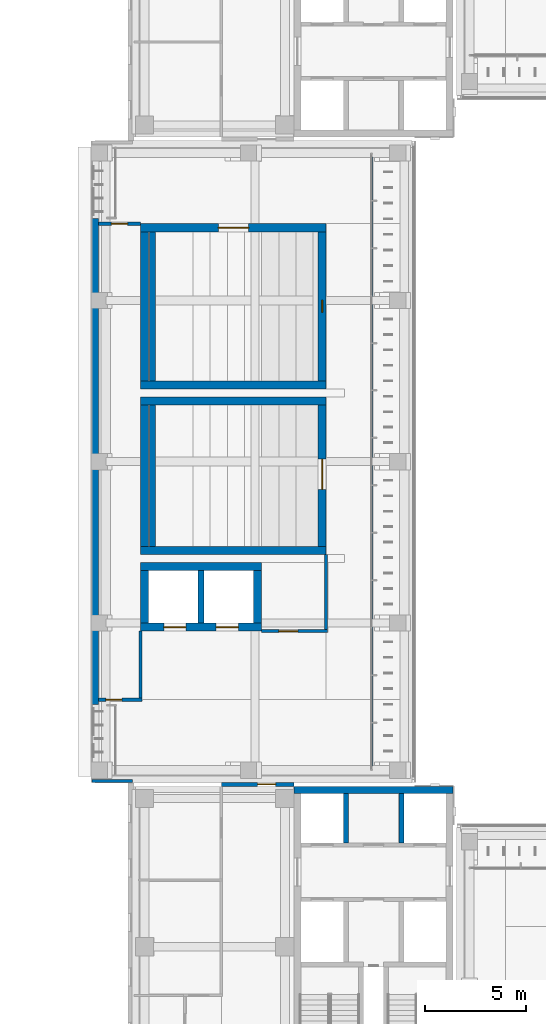
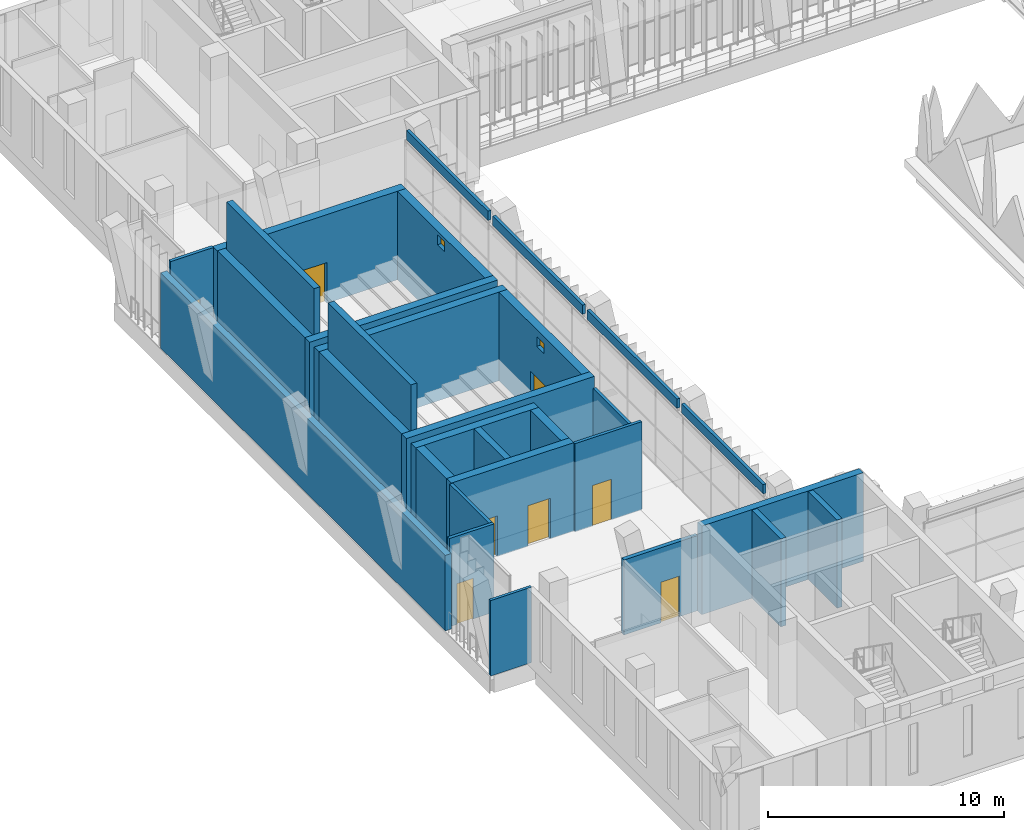
# One storey, part 109 of 141: 30 walls, 8 doors, 2 windows, 10 openings.
"""IFC4 building model written with IfcOpenShell, lengths in metres."""

from ifc_helpers import new_model, si_unit, direction, frame, frame_2d, origin, place, context, subcontext, project, spatial, rectangle, extrude, material, layer, layer_set, type_object, element, fill, save


model = new_model("IFC4")

# Units and contexts
model_context = context("Model", 3, precision=1e-05, world=origin(), true_north=direction((0.0, 1.0)))
body_context = subcontext(model_context, "Body", "Model", "MODEL_VIEW")
ifc_project = project(units=[si_unit("LENGTHUNIT", "METRE"), si_unit("AREAUNIT", "SQUARE_METRE"), si_unit("VOLUMEUNIT", "CUBIC_METRE"), si_unit("PLANEANGLEUNIT", "RADIAN"), si_unit("MASSUNIT", "GRAM", prefix="KILO")], contexts=[model_context])

# Site, building, storey
site_placement = place(None, origin())
site = spatial("IfcSite", under=ifc_project, at=site_placement, CompositionType="ELEMENT")
building_placement = place(site_placement, origin())
building = spatial("IfcBuilding", under=site, at=building_placement, Name="Lantern Court Media Centre", CompositionType="ELEMENT")
storey_placement = place(building_placement, frame((0.0, 0.0, 9.60009765625)))
storey = spatial("IfcBuildingStorey", under=building, at=storey_placement, Name="L02", CompositionType="ELEMENT", Elevation=9.60009765625)

# Walls
ifc_material_1 = material(Name="Insulated rendered blockwork", Category="masonry")
ifc_layer_1 = layer(ifc_material_1, 0.14990234375)
ifc_layer_set_1 = layer_set([ifc_layer_1], Name="Insulated rendered blockwork")
wall_type_1 = type_object("IfcWallType", Name="Head infill wall 150", PredefinedType="SOLIDWALL", material=ifc_layer_set_1)
wall_1_placement = place(storey_placement, frame((19.85009765625, 64.89990234375, 4.099853515625), z_axis=(0.0, 0.0, 1.0), x_axis=(0.0, 1.0, 0.0)))
element("IfcWall", 1, at=wall_1_placement, inside=storey, type_object=wall_type_1, Name="Head infill wall W inner L02", PredefinedType="SOLIDWALL", context=body_context, shape_type="SweptSolid", body=[
    extrude(rectangle(XDim=6.900146484375, YDim=0.14990234375, at=frame_2d((3.4501953125, 0.0))), origin(), (0.0, 0.0, 1.0), 0.47998046875),
])
for number, where, z_axis, x_axis, name in (
    (2, (19.85009765625, 72.199951171875, 4.099853515625), (0.0, 0.0, 1.0), (0.0, 1.0, 0.0), "Head infill wall W inner L02"),
    (3, (19.85009765625, 80.199951171875, 4.099853515625), (0.0, 0.0, 1.0), (0.0, 1.0, 0.0), "Head infill wall W inner L02"),
):
    element("IfcWall", number, at=place(storey_placement, frame(where, z_axis=z_axis, x_axis=x_axis)), inside=storey, type_object=wall_type_1, Name=name, PredefinedType="SOLIDWALL", context=body_context, shape_type="SweptSolid", body=[
        extrude(rectangle(XDim=7.60009765625, YDim=0.14990234375, at=frame_2d((3.800048828125, 0.0))), origin(), (0.0, 0.0, 1.0), 0.47998046875),
    ])
wall_2_placement = place(storey_placement, frame((19.85009765625, 88.199951171875, 4.099853515625), z_axis=(0.0, 0.0, 1.0), x_axis=(0.0, 1.0, 0.0)))
element("IfcWall", 4, at=wall_2_placement, inside=storey, type_object=wall_type_1, Name="Head infill wall W inner L02", PredefinedType="SOLIDWALL", context=body_context, shape_type="SweptSolid", body=[
    extrude(rectangle(XDim=6.900146484375, YDim=0.14990234375, at=frame_2d((3.4501953125, 0.0))), origin(), (0.0, 0.0, 1.0), 0.47998046875),
])
ifc_material_2 = material(Name="Honed limestone cladding on blockwork", Category="masonry")
ifc_layer_2 = layer(ifc_material_2, 0.139892578125)
ifc_layer_set_2 = layer_set([ifc_layer_2], Name="Honed limestone cladding on blockwork")
wall_type_2 = type_object("IfcWallType", Name="Limestone closure wall 140", PredefinedType="SOLIDWALL", material=ifc_layer_set_2)
wall_3_placement = place(storey_placement, frame((6.0, 64.169921875, 0.0), z_axis=(0.0, 0.0, 1.0), x_axis=(1.0, 0.0, 0.0)))
element("IfcWall", 5, at=wall_3_placement, inside=storey, type_object=wall_type_2, Name="Limestone closure wall W-SW L02", PredefinedType="SOLIDWALL", context=body_context, shape_type="SweptSolid", body=[
    extrude(rectangle(XDim=2.0, YDim=0.139892578125, at=frame_2d((1.0, 0.0))), origin(), (0.0, 0.0, 1.0), 3.89990234375),
])
ifc_layer_3 = layer(ifc_material_2, 0.300048828125)
ifc_layer_set_3 = layer_set([ifc_layer_3], Name="Honed limestone cladding on blockwork")
wall_type_3 = type_object("IfcWallType", Name="Limestone flank wall 300", PredefinedType="SOLIDWALL", material=ifc_layer_set_3)
wall_4_placement = place(storey_placement, frame((6.14990234375, 67.949951171875, 0.0), z_axis=(0.0, 0.0, 1.0), x_axis=(0.0, 1.0, 0.0)))
element("IfcWall", 6, at=wall_4_placement, inside=storey, type_object=wall_type_3, Name="Limestone flank wall W outer L02", PredefinedType="SOLIDWALL", context=body_context, shape_type="SweptSolid", body=[
    extrude(rectangle(XDim=24.10009765625, YDim=0.300048828125, at=frame_2d((12.050048828125, 0.0))), origin(), (0.0, 0.0, 1.0), 3.89990234375),
])

# Wall, opening, door
ifc_material_3 = material(Name="Fire-rated gypsum board")
ifc_layer_4 = layer(ifc_material_3, 0.199951171875)
ifc_layer_set_4 = layer_set([ifc_layer_4], Name="Fire-rated gypsum board")
wall_type_4 = type_object("IfcWallType", Name="Movement-joint compartment wall 200", PredefinedType="PARTITIONING", material=ifc_layer_set_4)
wall_5_placement = place(storey_placement, frame((12.39990234375, 64.0, 0.0), z_axis=(0.0, 0.0, 1.0), x_axis=(1.0, 0.0, 0.0)))
wall_5 = element("IfcWall", 7, at=wall_5_placement, inside=storey, type_object=wall_type_4, Name="L02 movement-joint wall 07", PredefinedType="PARTITIONING", context=body_context, shape_type="SweptSolid", body=[
    extrude(rectangle(XDim=3.60009765625, YDim=0.199951171875, at=frame_2d((1.800048828125, 0.0))), origin(), (0.0, 0.0, 1.0), 3.8798828125),
])
opening_1_placement = place(wall_5_placement, frame((1.800048828125, 0.0, 0.0)))
opening_1 = element("IfcOpeningElement", 8, at=opening_1_placement, cuts=wall_5, Name="Opening L02-J07", PredefinedType="OPENING", context=body_context, shape_type="SweptSolid", body=[
    extrude(rectangle(XDim=0.89990234375, YDim=2.10009765625, at=frame_2d((0.449951171875, 1.050048828125))), frame((0.0, 0.10986328125, 0.0), z_axis=(0.0, -1.0, 0.0), x_axis=(1.0, 0.0, 0.0)), (0.0, 0.0, 1.0), 0.219970703125),
])
ifc_material_4 = material(Name="Steel door leaf", Category="steel")
door_type_1 = type_object("IfcDoorType", Name="Movement-joint fire door 900x2100", OperationType="NOTDEFINED", PredefinedType="DOOR", material=ifc_material_4)
door_1_placement = place(opening_1_placement, frame((0.89990234375, 0.0, 0.0), z_axis=(0.0, 0.0, 1.0), x_axis=(-1.0, 0.0, 0.0)))
door_1 = element("IfcDoor", 9, at=door_1_placement, inside=storey, type_object=door_type_1, Name="L02 bar end lobby door 07", OperationType="SINGLE_SWING_RIGHT", OverallHeight=2.10009765625, OverallWidth=0.89990234375, PredefinedType="DOOR", context=body_context, shape_type="SweptSolid", body=[
    extrude(rectangle(XDim=0.89990234375, YDim=2.10009765625, at=frame_2d((0.449951171875, 1.050048828125))), frame((0.0, 0.02490234375, 0.0), z_axis=(0.0, -1.0, 0.0), x_axis=(1.0, 0.0, 0.0)), (0.0, 0.0, 1.0), 0.050048828125),
])
fill(opening_1, door_1)

ifc_material_5 = material(Name="Concrete blockwork C20", Category="masonry")
ifc_layer_5 = layer(ifc_material_5, 0.14990234375)
ifc_layer_set_5 = layer_set([ifc_layer_5], Name="Concrete blockwork C20")
wall_type_5 = type_object("IfcWallType", Name="Partition 150 masonry", PredefinedType="PARTITIONING", material=ifc_layer_set_5)
wall_6_placement = place(storey_placement, frame((14.39990234375, 71.60009765625, 0.0), z_axis=(0.0, 0.0, 1.0), x_axis=(1.0, 0.0, 0.0)))
wall_6 = element("IfcWall", 10, at=wall_6_placement, inside=storey, type_object=wall_type_5, Name="L02 partition 029", PredefinedType="PARTITIONING", context=body_context, shape_type="SweptSolid", body=[
    extrude(rectangle(XDim=3.275146484375, YDim=0.14990234375, at=frame_2d((1.6376953125, 0.0))), origin(), (0.0, 0.0, 1.0), 4.559814453125),
])
opening_2_placement = place(wall_6_placement, frame((0.85009765625, 0.0, 0.0)))
opening_2 = element("IfcOpeningElement", 11, at=opening_2_placement, cuts=wall_6, Name="Opening L02-022", PredefinedType="OPENING", context=body_context, shape_type="SweptSolid", body=[
    extrude(rectangle(XDim=0.949951171875, YDim=2.10009765625, at=frame_2d((0.47509765625, 1.050048828125))), frame((0.0, 0.0849609375, 0.0), z_axis=(0.0, -1.0, 0.0), x_axis=(1.0, 0.0, 0.0)), (0.0, 0.0, 1.0), 0.169921875),
])
ifc_material_6 = material(Name="Solid-core timber door leaf", Category="wood")
door_type_2 = type_object("IfcDoorType", Name="Accessible WC door 950x2100", OperationType="NOTDEFINED", PredefinedType="DOOR", material=ifc_material_6)
door_2_placement = place(opening_2_placement, origin())
door_2 = element("IfcDoor", 12, at=door_2_placement, inside=storey, type_object=door_type_2, Name="L02 Accessible WC door", OperationType="SINGLE_SWING_LEFT", OverallHeight=2.10009765625, OverallWidth=0.949951171875, PredefinedType="DOOR", context=body_context, shape_type="SweptSolid", body=[
    extrude(rectangle(XDim=0.949951171875, YDim=2.10009765625, at=frame_2d((0.47509765625, 1.050048828125))), frame((0.0, 0.02490234375, 0.0), z_axis=(0.0, -1.0, 0.0), x_axis=(1.0, 0.0, 0.0)), (0.0, 0.0, 1.0), 0.050048828125),
])
fill(opening_2, door_2)

# Walls
wall_7_placement = place(storey_placement, frame((17.60009765625, 71.675048828125, 0.0), z_axis=(0.0, 0.0, 1.0), x_axis=(0.0, 1.0, 0.0)))
element("IfcWall", 13, at=wall_7_placement, inside=storey, type_object=wall_type_5, Name="L02 partition 031", PredefinedType="PARTITIONING", context=body_context, shape_type="SweptSolid", body=[
    extrude(rectangle(XDim=3.724853515625, YDim=0.14990234375, at=frame_2d((1.8623046875, 0.0))), origin(), (0.0, 0.0, 1.0), 3.97998046875),
])
ifc_material_7 = material(Name="Concrete C40", Category="concrete")
ifc_layer_6 = layer(ifc_material_7, 0.35009765625)
ifc_layer_set_6 = layer_set([ifc_layer_6], Name="Concrete C40")
wall_type_6 = type_object("IfcWallType", Name="RC CORE WALL 350", PredefinedType="SHEAR", material=ifc_layer_set_6)
wall_8_placement = place(storey_placement, frame((16.0, 63.72509765625, 0.0), z_axis=(0.0, 0.0, 1.0), x_axis=(1.0, 0.0, 0.0)))
element("IfcWall", 14, at=wall_8_placement, inside=storey, type_object=wall_type_6, Name="WC-SW-L02-N", PredefinedType="SHEAR", context=body_context, shape_type="SweptSolid", body=[
    extrude(rectangle(XDim=7.89990234375, YDim=0.35009765625, at=frame_2d((3.949951171875, 0.0))), origin(), (0.0, 0.0, 1.0), 4.579833984375),
])
ifc_layer_7 = layer(ifc_material_7, 0.300048828125)
ifc_layer_set_7 = layer_set([ifc_layer_7], Name="Concrete C40")
wall_type_7 = type_object("IfcWallType", Name="RC SHEAR WALL 300", PredefinedType="SHEAR", material=ifc_layer_set_7)
wall_9_placement = place(storey_placement, frame((11.39990234375, 72.0, 0.0), z_axis=(0.0, 0.0, 1.0), x_axis=(0.0, 1.0, 0.0)))
element("IfcWall", 15, at=wall_9_placement, inside=storey, type_object=wall_type_7, Name="WB-W-LC-L02-D", PredefinedType="SHEAR", context=body_context, shape_type="SweptSolid", body=[
    extrude(rectangle(XDim=2.60009765625, YDim=0.300048828125, at=frame_2d((1.300048828125, 0.0))), origin(), (0.0, 0.0, 1.0), 4.579833984375),
])
ifc_layer_8 = layer(ifc_material_7, 0.39990234375)
ifc_layer_set_8 = layer_set([ifc_layer_8], Name="Concrete C40")
wall_type_8 = type_object("IfcWallType", Name="RC SHEAR WALL 400", PredefinedType="SHEAR", material=ifc_layer_set_8)
for number, where, z_axis, x_axis, name in (
    (16, (8.39990234375, 75.60009765625, 0.0), (0.0, 0.0, 1.0), (1.0, 0.0, 0.0), "WB-A5-L02-S"),
    (17, (8.39990234375, 83.0, 0.0), (0.0, 0.0, 1.0), (1.0, 0.0, 0.0), "WB-A5-L02-N"),
):
    element("IfcWall", number, at=place(storey_placement, frame(where, z_axis=z_axis, x_axis=x_axis)), inside=storey, type_object=wall_type_8, Name=name, PredefinedType="SHEAR", context=body_context, shape_type="SweptSolid", body=[
        extrude(rectangle(XDim=9.2001953125, YDim=0.39990234375, at=frame_2d((4.60009765625, 0.0))), origin(), (0.0, 0.0, 1.0), 4.579833984375),
    ])
wall_10_placement = place(storey_placement, frame((8.60009765625, 75.800048828125, 0.0), z_axis=(0.0, 0.0, 1.0), x_axis=(0.0, 1.0, 0.0)))
element("IfcWall", 18, at=wall_10_placement, inside=storey, type_object=wall_type_8, Name="WB-A5-L02-W", PredefinedType="SHEAR", context=body_context, shape_type="SweptSolid", body=[
    extrude(rectangle(XDim=7.0, YDim=0.39990234375, at=frame_2d((3.5, 0.0))), origin(), (0.0, 0.0, 1.0), 4.579833984375),
])

# Wall, openings, window, door
wall_11_placement = place(storey_placement, frame((17.39990234375, 75.800048828125, 0.0), z_axis=(0.0, 0.0, 1.0), x_axis=(0.0, 1.0, 0.0)))
wall_11 = element("IfcWall", 19, at=wall_11_placement, inside=storey, type_object=wall_type_8, Name="WB-A5-L02-E", PredefinedType="SHEAR", context=body_context, shape_type="SweptSolid", body=[
    extrude(rectangle(XDim=7.0, YDim=0.39990234375, at=frame_2d((3.5, 0.0))), origin(), (0.0, 0.0, 1.0), 4.579833984375),
])
opening_3_placement = place(wall_11_placement, frame((2.824951171875, 0.0, 0.0)))
opening_3 = element("IfcOpeningElement", 20, at=opening_3_placement, cuts=wall_11, Name="Opening L02-019", PredefinedType="OPENING", context=body_context, shape_type="SweptSolid", body=[
    extrude(rectangle(XDim=1.5, YDim=2.10009765625, at=frame_2d((0.75, 1.050048828125))), frame((0.0, 0.2099609375, 0.0), z_axis=(0.0, -1.0, 0.0), x_axis=(1.0, 0.0, 0.0)), (0.0, 0.0, 1.0), 0.419921875),
])
opening_4_placement = place(wall_11_placement, frame((3.199951171875, 0.0, 3.719970703125)))
opening_4 = element("IfcOpeningElement", 21, at=opening_4_placement, cuts=wall_11, Name="Opening WN-P", PredefinedType="OPENING", context=body_context, shape_type="SweptSolid", body=[
    extrude(rectangle(XDim=0.60009765625, YDim=0.5, at=frame_2d((0.300048828125, 0.25))), frame((0.0, 0.2099609375, 0.0), z_axis=(0.0, -1.0, 0.0), x_axis=(1.0, 0.0, 0.0)), (0.0, 0.0, 1.0), 0.419921875),
])
ifc_material_8 = material(Name="Laminated glass", Category="glass")
window_type = type_object("IfcWindowType", Name="Projection port glazing", PartitioningType="SINGLE_PANEL", PredefinedType="WINDOW", material=ifc_material_8)
window_1_placement = place(opening_4_placement, origin())
window_1 = element("IfcWindow", 22, at=window_1_placement, inside=storey, type_object=window_type, Name="Screen 5 projection port", OverallHeight=0.5, OverallWidth=0.60009765625, PartitioningType="SINGLE_PANEL", PredefinedType="WINDOW", context=body_context, shape_type="SweptSolid", body=[
    extrude(rectangle(XDim=0.60009765625, YDim=0.5, at=frame_2d((0.300048828125, 0.25))), frame((0.0, 0.030029296875, 0.0), z_axis=(0.0, -1.0, 0.0), x_axis=(1.0, 0.0, 0.0)), (0.0, 0.0, 1.0), 0.06005859375),
])
fill(opening_4, window_1)
door_type_3 = type_object("IfcDoorType", Name="Small screen double door 1500x2100", OperationType="NOTDEFINED", PredefinedType="DOOR", material=ifc_material_6)
door_3_placement = place(opening_3_placement, frame((1.5, 0.0, 0.0), z_axis=(0.0, 0.0, 1.0), x_axis=(-1.0, 0.0, 0.0)))
door_3 = element("IfcDoor", 23, at=door_3_placement, inside=storey, type_object=door_type_3, Name="L02 Screen 5 door", OperationType="SINGLE_SWING_RIGHT", OverallHeight=2.10009765625, OverallWidth=1.5, PredefinedType="DOOR", context=body_context, shape_type="SweptSolid", body=[
    extrude(rectangle(XDim=1.5, YDim=2.10009765625, at=frame_2d((0.75, 1.050048828125))), frame((0.0, 0.02490234375, 0.0), z_axis=(0.0, -1.0, 0.0), x_axis=(1.0, 0.0, 0.0)), (0.0, 0.0, 1.0), 0.050048828125),
])
fill(opening_3, door_3)

# Wall
wall_12_placement = place(storey_placement, frame((8.39990234375, 83.800048828125, 0.0), z_axis=(0.0, 0.0, 1.0), x_axis=(1.0, 0.0, 0.0)))
element("IfcWall", 24, at=wall_12_placement, inside=storey, type_object=wall_type_8, Name="WB-A6-L02-S", PredefinedType="SHEAR", context=body_context, shape_type="SweptSolid", body=[
    extrude(rectangle(XDim=9.2001953125, YDim=0.39990234375, at=frame_2d((4.60009765625, 0.0))), origin(), (0.0, 0.0, 1.0), 4.579833984375),
])

# Wall, opening, door
wall_13_placement = place(storey_placement, frame((8.39990234375, 91.60009765625, 0.0), z_axis=(0.0, 0.0, 1.0), x_axis=(1.0, 0.0, 0.0)))
wall_13 = element("IfcWall", 25, at=wall_13_placement, inside=storey, type_object=wall_type_8, Name="WB-A6-L02-N", PredefinedType="SHEAR", context=body_context, shape_type="SweptSolid", body=[
    extrude(rectangle(XDim=9.2001953125, YDim=0.39990234375, at=frame_2d((4.60009765625, 0.0))), origin(), (0.0, 0.0, 1.0), 4.579833984375),
])
opening_5_placement = place(wall_13_placement, frame((3.85009765625, 0.0, 0.0)))
opening_5 = element("IfcOpeningElement", 26, at=opening_5_placement, cuts=wall_13, Name="Opening L02-020", PredefinedType="OPENING", context=body_context, shape_type="SweptSolid", body=[
    extrude(rectangle(XDim=1.5, YDim=2.10009765625, at=frame_2d((0.75, 1.050048828125))), frame((0.0, 0.2099609375, 0.0), z_axis=(0.0, -1.0, 0.0), x_axis=(1.0, 0.0, 0.0)), (0.0, 0.0, 1.0), 0.419921875),
])
door_4_placement = place(opening_5_placement, origin())
door_4 = element("IfcDoor", 27, at=door_4_placement, inside=storey, type_object=door_type_3, Name="L02 Screen 6 door", OperationType="SINGLE_SWING_LEFT", OverallHeight=2.10009765625, OverallWidth=1.5, PredefinedType="DOOR", context=body_context, shape_type="SweptSolid", body=[
    extrude(rectangle(XDim=1.5, YDim=2.10009765625, at=frame_2d((0.75, 1.050048828125))), frame((0.0, 0.02490234375, 0.0), z_axis=(0.0, -1.0, 0.0), x_axis=(1.0, 0.0, 0.0)), (0.0, 0.0, 1.0), 0.050048828125),
])
fill(opening_5, door_4)

# Wall
wall_14_placement = place(storey_placement, frame((8.60009765625, 84.0, 0.0), z_axis=(0.0, 0.0, 1.0), x_axis=(0.0, 1.0, 0.0)))
element("IfcWall", 28, at=wall_14_placement, inside=storey, type_object=wall_type_8, Name="WB-A6-L02-W", PredefinedType="SHEAR", context=body_context, shape_type="SweptSolid", body=[
    extrude(rectangle(XDim=7.39990234375, YDim=0.39990234375, at=frame_2d((3.699951171875, 0.0))), origin(), (0.0, 0.0, 1.0), 4.579833984375),
])

# Wall, opening, window
wall_15_placement = place(storey_placement, frame((17.39990234375, 84.0, 0.0), z_axis=(0.0, 0.0, 1.0), x_axis=(0.0, 1.0, 0.0)))
wall_15 = element("IfcWall", 29, at=wall_15_placement, inside=storey, type_object=wall_type_8, Name="WB-A6-L02-E", PredefinedType="SHEAR", context=body_context, shape_type="SweptSolid", body=[
    extrude(rectangle(XDim=7.39990234375, YDim=0.39990234375, at=frame_2d((3.699951171875, 0.0))), origin(), (0.0, 0.0, 1.0), 4.579833984375),
])
opening_6_placement = place(wall_15_placement, frame((3.39990234375, 0.0, 3.8798828125)))
opening_6 = element("IfcOpeningElement", 30, at=opening_6_placement, cuts=wall_15, Name="Opening WN-P", PredefinedType="OPENING", context=body_context, shape_type="SweptSolid", body=[
    extrude(rectangle(XDim=0.60009765625, YDim=0.5, at=frame_2d((0.300048828125, 0.25))), frame((0.0, 0.2099609375, 0.0), z_axis=(0.0, -1.0, 0.0), x_axis=(1.0, 0.0, 0.0)), (0.0, 0.0, 1.0), 0.419921875),
])
window_2_placement = place(opening_6_placement, origin())
window_2 = element("IfcWindow", 31, at=window_2_placement, inside=storey, type_object=window_type, Name="Screen 6 projection port", OverallHeight=0.5, OverallWidth=0.60009765625, PartitioningType="SINGLE_PANEL", PredefinedType="WINDOW", context=body_context, shape_type="SweptSolid", body=[
    extrude(rectangle(XDim=0.60009765625, YDim=0.5, at=frame_2d((0.300048828125, 0.25))), frame((0.0, 0.030029296875, 0.0), z_axis=(0.0, -1.0, 0.0), x_axis=(1.0, 0.0, 0.0)), (0.0, 0.0, 1.0), 0.06005859375),
])
fill(opening_6, window_2)

# Wall, openings, doors
wall_16_placement = place(storey_placement, frame((8.39990234375, 71.800048828125, 0.0), z_axis=(0.0, 0.0, 1.0), x_axis=(1.0, 0.0, 0.0)))
wall_16 = element("IfcWall", 32, at=wall_16_placement, inside=storey, type_object=wall_type_8, Name="WB-W-LC-L02-S", PredefinedType="SHEAR", context=body_context, shape_type="SweptSolid", body=[
    extrude(rectangle(XDim=6.0, YDim=0.39990234375, at=frame_2d((3.0, 0.0))), origin(), (0.0, 0.0, 1.0), 4.579833984375),
])
opening_7_placement = place(wall_16_placement, frame((1.14990234375, 0.0, 0.0)))
opening_7 = element("IfcOpeningElement", 33, at=opening_7_placement, cuts=wall_16, Name="Opening LD-W-LCP-L02", PredefinedType="OPENING", context=body_context, shape_type="SweptSolid", body=[
    extrude(rectangle(XDim=1.10009765625, YDim=2.10009765625, at=frame_2d((0.550048828125, 1.050048828125))), frame((0.0, 0.2099609375, 0.0), z_axis=(0.0, -1.0, 0.0), x_axis=(1.0, 0.0, 0.0)), (0.0, 0.0, 1.0), 0.419921875),
])
opening_8_placement = place(wall_16_placement, frame((3.75, 0.0, 0.0)))
opening_8 = element("IfcOpeningElement", 34, at=opening_8_placement, cuts=wall_16, Name="Opening LD-W-LCS-L02", PredefinedType="OPENING", context=body_context, shape_type="SweptSolid", body=[
    extrude(rectangle(XDim=1.10009765625, YDim=2.10009765625, at=frame_2d((0.550048828125, 1.050048828125))), frame((0.0, 0.2099609375, 0.0), z_axis=(0.0, -1.0, 0.0), x_axis=(1.0, 0.0, 0.0)), (0.0, 0.0, 1.0), 0.419921875),
])
door_type_4 = type_object("IfcDoorType", Name="Lift landing door 1100x2100", OperationType="DOUBLE_DOOR_SLIDING", PredefinedType="DOOR", material=ifc_material_4)
door_5_placement = place(opening_7_placement, frame((1.10009765625, 0.0, 0.0), z_axis=(0.0, 0.0, 1.0), x_axis=(-1.0, 0.0, 0.0)))
door_5 = element("IfcDoor", 35, at=door_5_placement, inside=storey, type_object=door_type_4, Name="L02 W-LC passenger lift landing door", OperationType="DOUBLE_DOOR_SLIDING", OverallHeight=2.10009765625, OverallWidth=1.10009765625, PredefinedType="DOOR", context=body_context, shape_type="SweptSolid", body=[
    extrude(rectangle(XDim=1.10009765625, YDim=2.10009765625, at=frame_2d((0.550048828125, 1.050048828125))), frame((0.0, 0.02490234375, 0.0), z_axis=(0.0, -1.0, 0.0), x_axis=(1.0, 0.0, 0.0)), (0.0, 0.0, 1.0), 0.050048828125),
])
fill(opening_7, door_5)
door_6_placement = place(opening_8_placement, frame((1.10009765625, 0.0, 0.0), z_axis=(0.0, 0.0, 1.0), x_axis=(-1.0, 0.0, 0.0)))
door_6 = element("IfcDoor", 36, at=door_6_placement, inside=storey, type_object=door_type_4, Name="L02 W-LC service lift landing door", OperationType="DOUBLE_DOOR_SLIDING", OverallHeight=2.10009765625, OverallWidth=1.10009765625, PredefinedType="DOOR", context=body_context, shape_type="SweptSolid", body=[
    extrude(rectangle(XDim=1.10009765625, YDim=2.10009765625, at=frame_2d((0.550048828125, 1.050048828125))), frame((0.0, 0.02490234375, 0.0), z_axis=(0.0, -1.0, 0.0), x_axis=(1.0, 0.0, 0.0)), (0.0, 0.0, 1.0), 0.050048828125),
])
fill(opening_8, door_6)

# Walls
wall_17_placement = place(storey_placement, frame((8.39990234375, 74.800048828125, 0.0), z_axis=(0.0, 0.0, 1.0), x_axis=(1.0, 0.0, 0.0)))
element("IfcWall", 37, at=wall_17_placement, inside=storey, type_object=wall_type_8, Name="WB-W-LC-L02-N", PredefinedType="SHEAR", context=body_context, shape_type="SweptSolid", body=[
    extrude(rectangle(XDim=6.0, YDim=0.39990234375, at=frame_2d((3.0, 0.0))), origin(), (0.0, 0.0, 1.0), 4.579833984375),
])
for number, where, z_axis, x_axis, name in (
    (38, (8.60009765625, 72.0, 0.0), (0.0, 0.0, 1.0), (0.0, 1.0, 0.0), "WB-W-LC-L02-W"),
    (39, (14.199951171875, 72.0, 0.0), (0.0, 0.0, 1.0), (0.0, 1.0, 0.0), "WB-W-LC-L02-E"),
):
    element("IfcWall", number, at=place(storey_placement, frame(where, z_axis=z_axis, x_axis=x_axis)), inside=storey, type_object=wall_type_8, Name=name, PredefinedType="SHEAR", context=body_context, shape_type="SweptSolid", body=[
        extrude(rectangle(XDim=2.60009765625, YDim=0.39990234375, at=frame_2d((1.300048828125, 0.0))), origin(), (0.0, 0.0, 1.0), 4.579833984375),
    ])
ifc_layer_9 = layer(ifc_material_7, 0.25)
ifc_layer_set_9 = layer_set([ifc_layer_9], Name="Concrete C40")
wall_type_9 = type_object("IfcWallType", Name="RC lift shaft wall 250", PredefinedType="SOLIDWALL", material=ifc_layer_set_9)
for number, where, z_axis, x_axis, name in (
    (40, (18.574951171875, 61.10009765625, 0.0), (0.0, 0.0, 1.0), (0.0, 1.0, 0.0), "L02 SW L1b"),
    (41, (21.324951171875, 61.10009765625, 0.0), (0.0, 0.0, 1.0), (0.0, 1.0, 0.0), "L02 SW L2b"),
):
    element("IfcWall", number, at=place(storey_placement, frame(where, z_axis=z_axis, x_axis=x_axis)), inside=storey, type_object=wall_type_9, Name=name, PredefinedType="SOLIDWALL", context=body_context, shape_type="SweptSolid", body=[
        extrude(rectangle(XDim=2.449951171875, YDim=0.25, at=frame_2d((1.22509765625, 0.0))), origin(), (0.0, 0.0, 1.0), 4.5498046875),
    ])

# Wall, opening, door
ifc_layer_10 = layer(ifc_material_3, 0.159912109375)
ifc_layer_set_10 = layer_set([ifc_layer_10], Name="Fire-rated gypsum board")
wall_type_10 = type_object("IfcWallType", Name="Riser shaft liner wall 160", PredefinedType="PARTITIONING", material=ifc_layer_set_10)
wall_18_placement = place(storey_placement, frame((6.304931640625, 68.199951171875, 0.0), z_axis=(0.0, 0.0, 1.0), x_axis=(1.0, 0.0, 0.0)))
wall_18 = element("IfcWall", 42, at=wall_18_placement, inside=storey, type_object=wall_type_10, Name="L02 partition 024", PredefinedType="PARTITIONING", context=body_context, shape_type="SweptSolid", body=[
    extrude(rectangle(XDim=2.175048828125, YDim=0.159912109375, at=frame_2d((1.08740234375, 0.0))), origin(), (0.0, 0.0, 1.0), 4.559814453125),
])
opening_9_placement = place(wall_18_placement, frame((0.3701171875, 0.0, 0.0)))
opening_9 = element("IfcOpeningElement", 43, at=opening_9_placement, cuts=wall_18, Name="Opening L02-023", PredefinedType="OPENING", context=body_context, shape_type="SweptSolid", body=[
    extrude(rectangle(XDim=0.800048828125, YDim=2.10009765625, at=frame_2d((0.39990234375, 1.050048828125))), frame((0.0, 0.08984375, 0.0), z_axis=(0.0, -1.0, 0.0), x_axis=(1.0, 0.0, 0.0)), (0.0, 0.0, 1.0), 0.179931640625),
])
door_type_5 = type_object("IfcDoorType", Name="Riser access fire door 800x2100", OperationType="NOTDEFINED", PredefinedType="DOOR", material=ifc_material_4)
door_7_placement = place(opening_9_placement, origin())
door_7 = element("IfcDoor", 44, at=door_7_placement, inside=storey, type_object=door_type_5, Name="L02 Services Duct door", OperationType="SINGLE_SWING_RIGHT", OverallHeight=2.10009765625, OverallWidth=0.800048828125, PredefinedType="DOOR", context=body_context, shape_type="SweptSolid", body=[
    extrude(rectangle(XDim=0.800048828125, YDim=2.10009765625, at=frame_2d((0.39990234375, 1.050048828125))), frame((0.0, 0.02490234375, 0.0), z_axis=(0.0, -1.0, 0.0), x_axis=(1.0, 0.0, 0.0)), (0.0, 0.0, 1.0), 0.050048828125),
])
fill(opening_9, door_7)

wall_19_placement = place(storey_placement, frame((6.304931640625, 91.800048828125, 0.0), z_axis=(0.0, 0.0, 1.0), x_axis=(1.0, 0.0, 0.0)))
wall_19 = element("IfcWall", 45, at=wall_19_placement, inside=storey, type_object=wall_type_10, Name="L02 partition 026", PredefinedType="PARTITIONING", context=body_context, shape_type="SweptSolid", body=[
    extrude(rectangle(XDim=2.094970703125, YDim=0.159912109375, at=frame_2d((1.04736328125, 0.0))), origin(), (0.0, 0.0, 1.0), 4.559814453125),
])
opening_10_placement = place(wall_19_placement, frame((0.64501953125, 0.0, 0.0)))
opening_10 = element("IfcOpeningElement", 46, at=opening_10_placement, cuts=wall_19, Name="Opening L02-021", PredefinedType="OPENING", context=body_context, shape_type="SweptSolid", body=[
    extrude(rectangle(XDim=0.800048828125, YDim=2.10009765625, at=frame_2d((0.39990234375, 1.050048828125))), frame((0.0, 0.08984375, 0.0), z_axis=(0.0, -1.0, 0.0), x_axis=(1.0, 0.0, 0.0)), (0.0, 0.0, 1.0), 0.179931640625),
])
door_8_placement = place(opening_10_placement, frame((0.800048828125, 0.0, 0.0), z_axis=(0.0, 0.0, 1.0), x_axis=(-1.0, 0.0, 0.0)))
door_8 = element("IfcDoor", 47, at=door_8_placement, inside=storey, type_object=door_type_5, Name="L02 Services Duct door", OperationType="SINGLE_SWING_RIGHT", OverallHeight=2.10009765625, OverallWidth=0.800048828125, PredefinedType="DOOR", context=body_context, shape_type="SweptSolid", body=[
    extrude(rectangle(XDim=0.800048828125, YDim=2.10009765625, at=frame_2d((0.39990234375, 1.050048828125))), frame((0.0, 0.02490234375, 0.0), z_axis=(0.0, -1.0, 0.0), x_axis=(1.0, 0.0, 0.0)), (0.0, 0.0, 1.0), 0.050048828125),
])
fill(opening_10, door_8)

# Walls
wall_20_placement = place(storey_placement, frame((8.39990234375, 68.280029296875, 0.0), z_axis=(0.0, 0.0, 1.0), x_axis=(0.0, 1.0, 0.0)))
element("IfcWall", 48, at=wall_20_placement, inside=storey, type_object=wall_type_10, Name="L02 partition 028", PredefinedType="PARTITIONING", context=body_context, shape_type="SweptSolid", body=[
    extrude(rectangle(XDim=3.31494140625, YDim=0.159912109375, at=frame_2d((1.657470703125, 0.0))), origin(), (0.0, 0.0, 1.0), 4.559814453125),
])
ifc_material_9 = material(Name="Acoustic gypsum board")
ifc_layer_11 = layer(ifc_material_9, 0.300048828125)
ifc_layer_set_11 = layer_set([ifc_layer_11], Name="Acoustic gypsum board")
wall_type_11 = type_object("IfcWallType", Name="Screen wall 300", PredefinedType="PARTITIONING", material=ifc_layer_set_11)
wall_21_placement = place(storey_placement, frame((9.0, 75.800048828125, 0.0), z_axis=(0.0, 0.0, 1.0), x_axis=(0.0, 1.0, 0.0)))
element("IfcWall", 49, at=wall_21_placement, inside=storey, type_object=wall_type_11, Name="Screen 5 screen wall", PredefinedType="PARTITIONING", context=body_context, shape_type="SweptSolid", body=[
    extrude(rectangle(XDim=7.0, YDim=0.300048828125, at=frame_2d((3.5, 0.0))), origin(), (0.0, 0.0, 1.0), 6.949951171875),
])
wall_22_placement = place(storey_placement, frame((9.0, 84.0, 0.0), z_axis=(0.0, 0.0, 1.0), x_axis=(0.0, 1.0, 0.0)))
element("IfcWall", 50, at=wall_22_placement, inside=storey, type_object=wall_type_11, Name="Screen 6 screen wall", PredefinedType="PARTITIONING", context=body_context, shape_type="SweptSolid", body=[
    extrude(rectangle(XDim=7.39990234375, YDim=0.300048828125, at=frame_2d((3.699951171875, 0.0))), origin(), (0.0, 0.0, 1.0), 6.949951171875),
])

save(model, "model.ifc")
